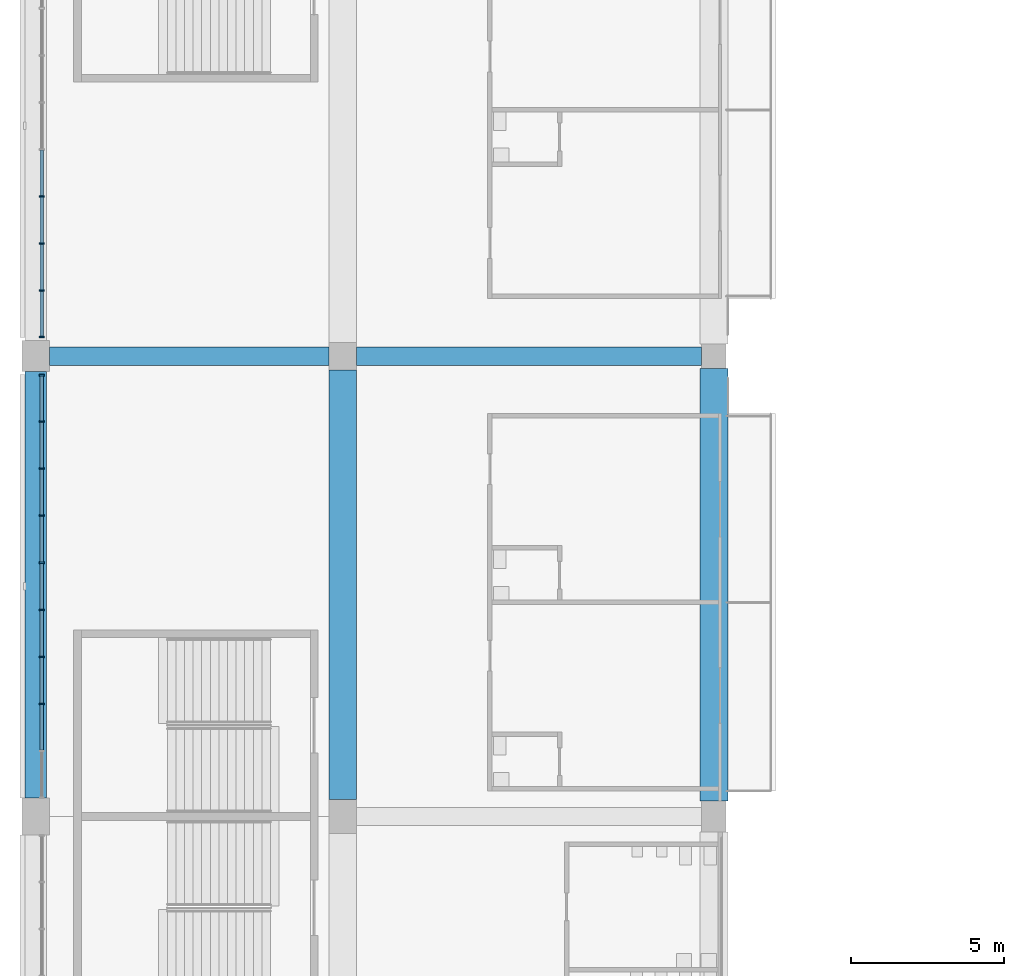
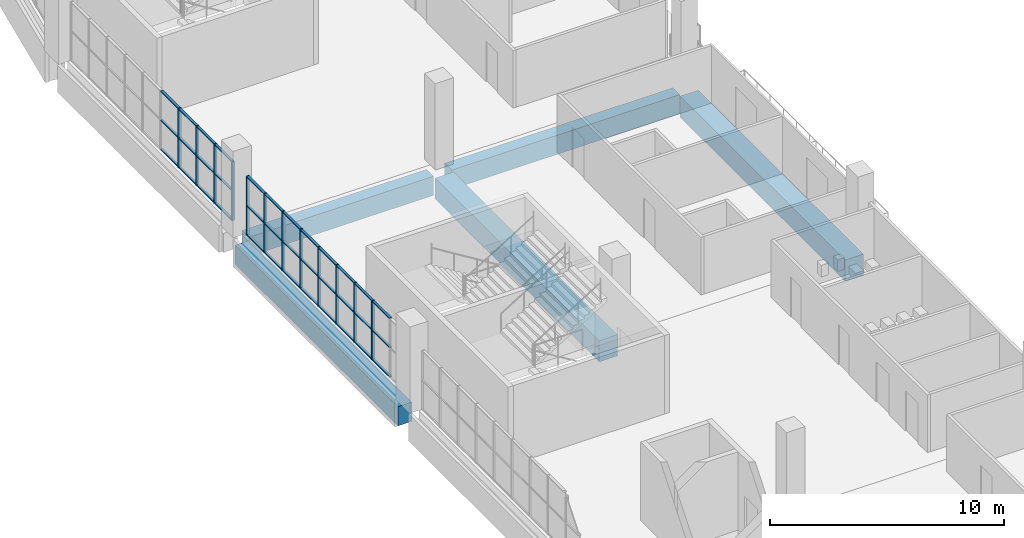
# One storey, part 34 of 199: 48 members, 5 beams, 2 elements without a shape of their own.
"""IFC4 building model written with IfcOpenShell, lengths in metres."""

from ifc_helpers import new_model, si_unit, direction, frame, origin, origin_2d, place, context, subcontext, project, spatial, rectangle, extrude, material, material_profile, profile_set, type_object, element, aggregate, save


model = new_model("IFC4")

# Units and contexts
model_context = context("Model", 3, precision=1e-05, world=origin(), true_north=direction((0.0, 1.0)))
body_context = subcontext(model_context, "Body", "Model", "MODEL_VIEW")
ifc_project = project(units=[si_unit("LENGTHUNIT", "METRE"), si_unit("AREAUNIT", "SQUARE_METRE"), si_unit("VOLUMEUNIT", "CUBIC_METRE"), si_unit("PLANEANGLEUNIT", "RADIAN"), si_unit("MASSUNIT", "GRAM", prefix="KILO")], contexts=[model_context])

# Site, building, storey
site_placement = place(None, origin())
site = spatial("IfcSite", under=ifc_project, at=site_placement, CompositionType="ELEMENT")
building_placement = place(site_placement, origin())
building = spatial("IfcBuilding", under=site, at=building_placement, Name="Ogive Plaza Stadium", CompositionType="ELEMENT")
storey_placement = place(building_placement, frame((0.0, 0.0, 9.0)))
storey = spatial("IfcBuildingStorey", under=building, at=storey_placement, Name="L02", CompositionType="ELEMENT", Elevation=9.0)

# Curtain wall, members
ifc_material_1 = material(Name="Bronze-anodised aluminium with laminated glass", Category="aluminium")
curtain_wall_type = type_object("IfcCurtainWallType", Name="Lancet curtain wall", PredefinedType="NOTDEFINED", material=ifc_material_1)
curtain_wall_1_placement = place(storey_placement, origin())
curtain_wall_1 = element("IfcCurtainWall", 1, at=curtain_wall_1_placement, inside=storey, type_object=curtain_wall_type, Name="CURTAIN WALL B26 L02", PredefinedType="NOTDEFINED")
ifc_material_2 = material(Name="Bronze-anodised aluminium", Category="aluminium")
ifc_material_profile_1 = material_profile(ifc_material_2, rectangle(XDim=0.14990234375, YDim=0.050048828125, at=origin_2d()), Name="AL 150x50")
ifc_profile_set_1 = profile_set([ifc_material_profile_1], Name="Bronze-anodised aluminium")
member_type_1 = type_object("IfcMemberType", Name="Curtain wall mullion 50x150", PredefinedType="MULLION", material=ifc_profile_set_1)
member_1_placement = place(storey_placement, frame((-83.800048828125, 26.166748046875, 0.0), z_axis=(0.0, 0.0, 1.0), x_axis=(-1.0, 0.0, 0.0)))
member_1 = element("IfcMember", 2, at=member_1_placement, type_object=member_type_1, Name="CW-B26-L02 mullion 3", PredefinedType="MULLION", context=body_context, shape_type="SweptSolid", body=[
    extrude(rectangle(XDim=0.14990234375, YDim=0.050048828125, at=origin_2d()), origin(), (0.0, 0.0, 1.0), 3.090087890625),
])
member_2_placement = place(storey_placement, frame((-83.800048828125, 27.699951171875, 0.0), z_axis=(0.0, 0.0, 1.0), x_axis=(-1.0, 0.0, 0.0)))
member_2 = element("IfcMember", 3, at=member_2_placement, type_object=member_type_1, Name="CW-B26-L02 mullion 4", PredefinedType="MULLION", context=body_context, shape_type="SweptSolid", body=[
    extrude(rectangle(XDim=0.14990234375, YDim=0.050048828125, at=origin_2d()), origin(), (0.0, 0.0, 1.0), 3.090087890625),
])
member_3_placement = place(storey_placement, frame((-83.800048828125, 29.2333984375, 0.0), z_axis=(0.0, 0.0, 1.0), x_axis=(-1.0, 0.0, 0.0)))
member_3 = element("IfcMember", 4, at=member_3_placement, type_object=member_type_1, Name="CW-B26-L02 mullion 5", PredefinedType="MULLION", context=body_context, shape_type="SweptSolid", body=[
    extrude(rectangle(XDim=0.14990234375, YDim=0.050048828125, at=origin_2d()), origin(), (0.0, 0.0, 1.0), 3.090087890625),
])
member_4_placement = place(storey_placement, frame((-83.800048828125, 30.7666015625, 0.0), z_axis=(0.0, 0.0, 1.0), x_axis=(-1.0, 0.0, 0.0)))
member_4 = element("IfcMember", 5, at=member_4_placement, type_object=member_type_1, Name="CW-B26-L02 mullion 6", PredefinedType="MULLION", context=body_context, shape_type="SweptSolid", body=[
    extrude(rectangle(XDim=0.14990234375, YDim=0.050048828125, at=origin_2d()), origin(), (0.0, 0.0, 1.0), 3.090087890625),
])
member_5_placement = place(storey_placement, frame((-83.800048828125, 32.300048828125, 0.0), z_axis=(0.0, 0.0, 1.0), x_axis=(-1.0, 0.0, 0.0)))
member_5 = element("IfcMember", 6, at=member_5_placement, type_object=member_type_1, Name="CW-B26-L02 mullion 7", PredefinedType="MULLION", context=body_context, shape_type="SweptSolid", body=[
    extrude(rectangle(XDim=0.14990234375, YDim=0.050048828125, at=origin_2d()), origin(), (0.0, 0.0, 1.0), 3.090087890625),
])
member_6_placement = place(storey_placement, frame((-83.800048828125, 33.833251953125, 0.0), z_axis=(0.0, 0.0, 1.0), x_axis=(-1.0, 0.0, 0.0)))
member_6 = element("IfcMember", 7, at=member_6_placement, type_object=member_type_1, Name="CW-B26-L02 mullion 8", PredefinedType="MULLION", context=body_context, shape_type="SweptSolid", body=[
    extrude(rectangle(XDim=0.14990234375, YDim=0.050048828125, at=origin_2d()), origin(), (0.0, 0.0, 1.0), 3.090087890625),
])
member_7_placement = place(storey_placement, frame((-83.800048828125, 35.36669921875, 0.0), z_axis=(0.0, 0.0, 1.0), x_axis=(-1.0, 0.0, 0.0)))
member_7 = element("IfcMember", 8, at=member_7_placement, type_object=member_type_1, Name="CW-B26-L02 mullion 9", PredefinedType="MULLION", context=body_context, shape_type="SweptSolid", body=[
    extrude(rectangle(XDim=0.14990234375, YDim=0.050048828125, at=origin_2d()), origin(), (0.0, 0.0, 1.0), 3.090087890625),
])
member_8_placement = place(storey_placement, frame((-83.800048828125, 36.875, 0.0), z_axis=(0.0, 0.0, 1.0), x_axis=(-1.0, 0.0, 0.0)))
member_8 = element("IfcMember", 9, at=member_8_placement, type_object=member_type_1, Name="CW-B26-L02 mullion 10", PredefinedType="MULLION", context=body_context, shape_type="SweptSolid", body=[
    extrude(rectangle(XDim=0.14990234375, YDim=0.050048828125, at=origin_2d()), origin(), (0.0, 0.0, 1.0), 3.090087890625),
])

curtain_wall_2_placement = place(storey_placement, origin())
curtain_wall_2 = element("IfcCurtainWall", 10, at=curtain_wall_2_placement, inside=storey, type_object=curtain_wall_type, Name="CURTAIN WALL B27 L02", PredefinedType="NOTDEFINED")
member_9_placement = place(storey_placement, frame((-83.800048828125, 38.125, 0.0), z_axis=(0.0, 0.0, 1.0), x_axis=(-1.0, 0.0, 0.0)))
member_9 = element("IfcMember", 11, at=member_9_placement, type_object=member_type_1, Name="CW-B27-L02 mullion 1", PredefinedType="MULLION", context=body_context, shape_type="SweptSolid", body=[
    extrude(rectangle(XDim=0.14990234375, YDim=0.050048828125, at=origin_2d()), origin(), (0.0, 0.0, 1.0), 3.090087890625),
])
member_10_placement = place(storey_placement, frame((-83.800048828125, 39.63330078125, 0.0), z_axis=(0.0, 0.0, 1.0), x_axis=(-1.0, 0.0, 0.0)))
member_10 = element("IfcMember", 12, at=member_10_placement, type_object=member_type_1, Name="CW-B27-L02 mullion 2", PredefinedType="MULLION", context=body_context, shape_type="SweptSolid", body=[
    extrude(rectangle(XDim=0.14990234375, YDim=0.050048828125, at=origin_2d()), origin(), (0.0, 0.0, 1.0), 3.090087890625),
])
member_11_placement = place(storey_placement, frame((-83.800048828125, 41.166748046875, 0.0), z_axis=(0.0, 0.0, 1.0), x_axis=(-1.0, 0.0, 0.0)))
member_11 = element("IfcMember", 13, at=member_11_placement, type_object=member_type_1, Name="CW-B27-L02 mullion 3", PredefinedType="MULLION", context=body_context, shape_type="SweptSolid", body=[
    extrude(rectangle(XDim=0.14990234375, YDim=0.050048828125, at=origin_2d()), origin(), (0.0, 0.0, 1.0), 3.090087890625),
])
member_12_placement = place(storey_placement, frame((-83.800048828125, 42.699951171875, 0.0), z_axis=(0.0, 0.0, 1.0), x_axis=(-1.0, 0.0, 0.0)))
member_12 = element("IfcMember", 14, at=member_12_placement, type_object=member_type_1, Name="CW-B27-L02 mullion 4", PredefinedType="MULLION", context=body_context, shape_type="SweptSolid", body=[
    extrude(rectangle(XDim=0.14990234375, YDim=0.050048828125, at=origin_2d()), origin(), (0.0, 0.0, 1.0), 3.090087890625),
])

# Member
ifc_material_3 = material(Name="Bronze-anodised aluminium", Category="aluminium")
ifc_material_profile_2 = material_profile(ifc_material_3, rectangle(XDim=0.1201171875, YDim=0.050048828125, at=origin_2d()), Name="AL 120x50")
ifc_profile_set_2 = profile_set([ifc_material_profile_2], Name="Bronze-anodised aluminium")
member_type_2 = type_object("IfcMemberType", Name="Curtain wall transom 50x120", PredefinedType="USERDEFINED", material=ifc_profile_set_2)
member_13_placement = place(storey_placement, frame((-83.800048828125, 24.658447265625, 0.02490234375), z_axis=(0.0, 1.0, 0.0), x_axis=(-1.0, 0.0, 0.0)))
member_13 = element("IfcMember", 15, at=member_13_placement, type_object=member_type_2, Name="CW-B26-L02 transom 2.1", ObjectType="TRANSOM", PredefinedType="USERDEFINED", context=body_context, shape_type="SweptSolid", body=[
    extrude(rectangle(XDim=0.1201171875, YDim=0.050048828125, at=origin_2d()), origin(), (0.0, 0.0, 1.0), 1.483154296875),
])

member_14_placement = place(storey_placement, frame((-83.800048828125, 24.658447265625, 1.544921875), z_axis=(0.0, 1.0, 0.0), x_axis=(-1.0, 0.0, 0.0)))
member_14 = element("IfcMember", 16, at=member_14_placement, type_object=member_type_2, Name="CW-B26-L02 transom 2.2", ObjectType="TRANSOM", PredefinedType="USERDEFINED", context=body_context, shape_type="SweptSolid", body=[
    extrude(rectangle(XDim=0.1201171875, YDim=0.050048828125, at=origin_2d()), origin(), (0.0, 0.0, 1.0), 1.483154296875),
])

member_15_placement = place(storey_placement, frame((-83.800048828125, 24.658447265625, 3.06494140625), z_axis=(0.0, 1.0, 0.0), x_axis=(-1.0, 0.0, 0.0)))
member_15 = element("IfcMember", 17, at=member_15_placement, type_object=member_type_2, Name="CW-B26-L02 transom 2.3", ObjectType="TRANSOM", PredefinedType="USERDEFINED", context=body_context, shape_type="SweptSolid", body=[
    extrude(rectangle(XDim=0.1201171875, YDim=0.050048828125, at=origin_2d()), origin(), (0.0, 0.0, 1.0), 1.483154296875),
])

member_16_placement = place(storey_placement, frame((-83.800048828125, 26.191650390625, 0.02490234375), z_axis=(0.0, 1.0, 0.0), x_axis=(-1.0, 0.0, 0.0)))
member_16 = element("IfcMember", 18, at=member_16_placement, type_object=member_type_2, Name="CW-B26-L02 transom 3.1", ObjectType="TRANSOM", PredefinedType="USERDEFINED", context=body_context, shape_type="SweptSolid", body=[
    extrude(rectangle(XDim=0.1201171875, YDim=0.050048828125, at=origin_2d()), origin(), (0.0, 0.0, 1.0), 1.4833984375),
])

member_17_placement = place(storey_placement, frame((-83.800048828125, 26.191650390625, 1.544921875), z_axis=(0.0, 1.0, 0.0), x_axis=(-1.0, 0.0, 0.0)))
member_17 = element("IfcMember", 19, at=member_17_placement, type_object=member_type_2, Name="CW-B26-L02 transom 3.2", ObjectType="TRANSOM", PredefinedType="USERDEFINED", context=body_context, shape_type="SweptSolid", body=[
    extrude(rectangle(XDim=0.1201171875, YDim=0.050048828125, at=origin_2d()), origin(), (0.0, 0.0, 1.0), 1.4833984375),
])

member_18_placement = place(storey_placement, frame((-83.800048828125, 26.191650390625, 3.06494140625), z_axis=(0.0, 1.0, 0.0), x_axis=(-1.0, 0.0, 0.0)))
member_18 = element("IfcMember", 20, at=member_18_placement, type_object=member_type_2, Name="CW-B26-L02 transom 3.3", ObjectType="TRANSOM", PredefinedType="USERDEFINED", context=body_context, shape_type="SweptSolid", body=[
    extrude(rectangle(XDim=0.1201171875, YDim=0.050048828125, at=origin_2d()), origin(), (0.0, 0.0, 1.0), 1.4833984375),
])

member_19_placement = place(storey_placement, frame((-83.800048828125, 27.72509765625, 0.02490234375), z_axis=(0.0, 1.0, 0.0), x_axis=(-1.0, 0.0, 0.0)))
member_19 = element("IfcMember", 21, at=member_19_placement, type_object=member_type_2, Name="CW-B26-L02 transom 4.1", ObjectType="TRANSOM", PredefinedType="USERDEFINED", context=body_context, shape_type="SweptSolid", body=[
    extrude(rectangle(XDim=0.1201171875, YDim=0.050048828125, at=origin_2d()), origin(), (0.0, 0.0, 1.0), 1.483154296875),
])

member_20_placement = place(storey_placement, frame((-83.800048828125, 27.72509765625, 1.544921875), z_axis=(0.0, 1.0, 0.0), x_axis=(-1.0, 0.0, 0.0)))
member_20 = element("IfcMember", 22, at=member_20_placement, type_object=member_type_2, Name="CW-B26-L02 transom 4.2", ObjectType="TRANSOM", PredefinedType="USERDEFINED", context=body_context, shape_type="SweptSolid", body=[
    extrude(rectangle(XDim=0.1201171875, YDim=0.050048828125, at=origin_2d()), origin(), (0.0, 0.0, 1.0), 1.483154296875),
])

member_21_placement = place(storey_placement, frame((-83.800048828125, 27.72509765625, 3.06494140625), z_axis=(0.0, 1.0, 0.0), x_axis=(-1.0, 0.0, 0.0)))
member_21 = element("IfcMember", 23, at=member_21_placement, type_object=member_type_2, Name="CW-B26-L02 transom 4.3", ObjectType="TRANSOM", PredefinedType="USERDEFINED", context=body_context, shape_type="SweptSolid", body=[
    extrude(rectangle(XDim=0.1201171875, YDim=0.050048828125, at=origin_2d()), origin(), (0.0, 0.0, 1.0), 1.483154296875),
])

member_22_placement = place(storey_placement, frame((-83.800048828125, 29.25830078125, 0.02490234375), z_axis=(0.0, 1.0, 0.0), x_axis=(-1.0, 0.0, 0.0)))
member_22 = element("IfcMember", 24, at=member_22_placement, type_object=member_type_2, Name="CW-B26-L02 transom 5.1", ObjectType="TRANSOM", PredefinedType="USERDEFINED", context=body_context, shape_type="SweptSolid", body=[
    extrude(rectangle(XDim=0.1201171875, YDim=0.050048828125, at=origin_2d()), origin(), (0.0, 0.0, 1.0), 1.4833984375),
])

member_23_placement = place(storey_placement, frame((-83.800048828125, 29.25830078125, 1.544921875), z_axis=(0.0, 1.0, 0.0), x_axis=(-1.0, 0.0, 0.0)))
member_23 = element("IfcMember", 25, at=member_23_placement, type_object=member_type_2, Name="CW-B26-L02 transom 5.2", ObjectType="TRANSOM", PredefinedType="USERDEFINED", context=body_context, shape_type="SweptSolid", body=[
    extrude(rectangle(XDim=0.1201171875, YDim=0.050048828125, at=origin_2d()), origin(), (0.0, 0.0, 1.0), 1.4833984375),
])

member_24_placement = place(storey_placement, frame((-83.800048828125, 29.25830078125, 3.06494140625), z_axis=(0.0, 1.0, 0.0), x_axis=(-1.0, 0.0, 0.0)))
member_24 = element("IfcMember", 26, at=member_24_placement, type_object=member_type_2, Name="CW-B26-L02 transom 5.3", ObjectType="TRANSOM", PredefinedType="USERDEFINED", context=body_context, shape_type="SweptSolid", body=[
    extrude(rectangle(XDim=0.1201171875, YDim=0.050048828125, at=origin_2d()), origin(), (0.0, 0.0, 1.0), 1.4833984375),
])

member_25_placement = place(storey_placement, frame((-83.800048828125, 30.791748046875, 0.02490234375), z_axis=(0.0, 1.0, 0.0), x_axis=(-1.0, 0.0, 0.0)))
member_25 = element("IfcMember", 27, at=member_25_placement, type_object=member_type_2, Name="CW-B26-L02 transom 6.1", ObjectType="TRANSOM", PredefinedType="USERDEFINED", context=body_context, shape_type="SweptSolid", body=[
    extrude(rectangle(XDim=0.1201171875, YDim=0.050048828125, at=origin_2d()), origin(), (0.0, 0.0, 1.0), 1.483154296875),
])

member_26_placement = place(storey_placement, frame((-83.800048828125, 30.791748046875, 1.544921875), z_axis=(0.0, 1.0, 0.0), x_axis=(-1.0, 0.0, 0.0)))
member_26 = element("IfcMember", 28, at=member_26_placement, type_object=member_type_2, Name="CW-B26-L02 transom 6.2", ObjectType="TRANSOM", PredefinedType="USERDEFINED", context=body_context, shape_type="SweptSolid", body=[
    extrude(rectangle(XDim=0.1201171875, YDim=0.050048828125, at=origin_2d()), origin(), (0.0, 0.0, 1.0), 1.483154296875),
])

member_27_placement = place(storey_placement, frame((-83.800048828125, 30.791748046875, 3.06494140625), z_axis=(0.0, 1.0, 0.0), x_axis=(-1.0, 0.0, 0.0)))
member_27 = element("IfcMember", 29, at=member_27_placement, type_object=member_type_2, Name="CW-B26-L02 transom 6.3", ObjectType="TRANSOM", PredefinedType="USERDEFINED", context=body_context, shape_type="SweptSolid", body=[
    extrude(rectangle(XDim=0.1201171875, YDim=0.050048828125, at=origin_2d()), origin(), (0.0, 0.0, 1.0), 1.483154296875),
])

member_28_placement = place(storey_placement, frame((-83.800048828125, 32.324951171875, 0.02490234375), z_axis=(0.0, 1.0, 0.0), x_axis=(-1.0, 0.0, 0.0)))
member_28 = element("IfcMember", 30, at=member_28_placement, type_object=member_type_2, Name="CW-B26-L02 transom 7.1", ObjectType="TRANSOM", PredefinedType="USERDEFINED", context=body_context, shape_type="SweptSolid", body=[
    extrude(rectangle(XDim=0.1201171875, YDim=0.050048828125, at=origin_2d()), origin(), (0.0, 0.0, 1.0), 1.4833984375),
])

member_29_placement = place(storey_placement, frame((-83.800048828125, 32.324951171875, 1.544921875), z_axis=(0.0, 1.0, 0.0), x_axis=(-1.0, 0.0, 0.0)))
member_29 = element("IfcMember", 31, at=member_29_placement, type_object=member_type_2, Name="CW-B26-L02 transom 7.2", ObjectType="TRANSOM", PredefinedType="USERDEFINED", context=body_context, shape_type="SweptSolid", body=[
    extrude(rectangle(XDim=0.1201171875, YDim=0.050048828125, at=origin_2d()), origin(), (0.0, 0.0, 1.0), 1.4833984375),
])

member_30_placement = place(storey_placement, frame((-83.800048828125, 32.324951171875, 3.06494140625), z_axis=(0.0, 1.0, 0.0), x_axis=(-1.0, 0.0, 0.0)))
member_30 = element("IfcMember", 32, at=member_30_placement, type_object=member_type_2, Name="CW-B26-L02 transom 7.3", ObjectType="TRANSOM", PredefinedType="USERDEFINED", context=body_context, shape_type="SweptSolid", body=[
    extrude(rectangle(XDim=0.1201171875, YDim=0.050048828125, at=origin_2d()), origin(), (0.0, 0.0, 1.0), 1.4833984375),
])

member_31_placement = place(storey_placement, frame((-83.800048828125, 33.8583984375, 0.02490234375), z_axis=(0.0, 1.0, 0.0), x_axis=(-1.0, 0.0, 0.0)))
member_31 = element("IfcMember", 33, at=member_31_placement, type_object=member_type_2, Name="CW-B26-L02 transom 8.1", ObjectType="TRANSOM", PredefinedType="USERDEFINED", context=body_context, shape_type="SweptSolid", body=[
    extrude(rectangle(XDim=0.1201171875, YDim=0.050048828125, at=origin_2d()), origin(), (0.0, 0.0, 1.0), 1.483154296875),
])

member_32_placement = place(storey_placement, frame((-83.800048828125, 33.8583984375, 1.544921875), z_axis=(0.0, 1.0, 0.0), x_axis=(-1.0, 0.0, 0.0)))
member_32 = element("IfcMember", 34, at=member_32_placement, type_object=member_type_2, Name="CW-B26-L02 transom 8.2", ObjectType="TRANSOM", PredefinedType="USERDEFINED", context=body_context, shape_type="SweptSolid", body=[
    extrude(rectangle(XDim=0.1201171875, YDim=0.050048828125, at=origin_2d()), origin(), (0.0, 0.0, 1.0), 1.483154296875),
])

member_33_placement = place(storey_placement, frame((-83.800048828125, 33.8583984375, 3.06494140625), z_axis=(0.0, 1.0, 0.0), x_axis=(-1.0, 0.0, 0.0)))
member_33 = element("IfcMember", 35, at=member_33_placement, type_object=member_type_2, Name="CW-B26-L02 transom 8.3", ObjectType="TRANSOM", PredefinedType="USERDEFINED", context=body_context, shape_type="SweptSolid", body=[
    extrude(rectangle(XDim=0.1201171875, YDim=0.050048828125, at=origin_2d()), origin(), (0.0, 0.0, 1.0), 1.483154296875),
])

member_34_placement = place(storey_placement, frame((-83.800048828125, 35.3916015625, 0.02490234375), z_axis=(0.0, 1.0, 0.0), x_axis=(-1.0, 0.0, 0.0)))
member_34 = element("IfcMember", 36, at=member_34_placement, type_object=member_type_2, Name="CW-B26-L02 transom 9.1", ObjectType="TRANSOM", PredefinedType="USERDEFINED", context=body_context, shape_type="SweptSolid", body=[
    extrude(rectangle(XDim=0.1201171875, YDim=0.050048828125, at=origin_2d()), origin(), (0.0, 0.0, 1.0), 1.45849609375),
])

member_35_placement = place(storey_placement, frame((-83.800048828125, 35.3916015625, 1.544921875), z_axis=(0.0, 1.0, 0.0), x_axis=(-1.0, 0.0, 0.0)))
member_35 = element("IfcMember", 37, at=member_35_placement, type_object=member_type_2, Name="CW-B26-L02 transom 9.2", ObjectType="TRANSOM", PredefinedType="USERDEFINED", context=body_context, shape_type="SweptSolid", body=[
    extrude(rectangle(XDim=0.1201171875, YDim=0.050048828125, at=origin_2d()), origin(), (0.0, 0.0, 1.0), 1.45849609375),
])

member_36_placement = place(storey_placement, frame((-83.800048828125, 35.3916015625, 3.06494140625), z_axis=(0.0, 1.0, 0.0), x_axis=(-1.0, 0.0, 0.0)))
member_36 = element("IfcMember", 38, at=member_36_placement, type_object=member_type_2, Name="CW-B26-L02 transom 9.3", ObjectType="TRANSOM", PredefinedType="USERDEFINED", context=body_context, shape_type="SweptSolid", body=[
    extrude(rectangle(XDim=0.1201171875, YDim=0.050048828125, at=origin_2d()), origin(), (0.0, 0.0, 1.0), 1.45849609375),
])

aggregate(curtain_wall_1, [member_1, member_2, member_3, member_4, member_5, member_6, member_7, member_8, member_13, member_14, member_15, member_16, member_17, member_18, member_19, member_20, member_21, member_22, member_23, member_24, member_25, member_26, member_27, member_28, member_29, member_30, member_31, member_32, member_33, member_34, member_35, member_36])

member_37_placement = place(storey_placement, frame((-83.800048828125, 38.14990234375, 0.02490234375), z_axis=(0.0, 1.0, 0.0), x_axis=(-1.0, 0.0, 0.0)))
member_37 = element("IfcMember", 39, at=member_37_placement, type_object=member_type_2, Name="CW-B27-L02 transom 1.1", ObjectType="TRANSOM", PredefinedType="USERDEFINED", context=body_context, shape_type="SweptSolid", body=[
    extrude(rectangle(XDim=0.1201171875, YDim=0.050048828125, at=origin_2d()), origin(), (0.0, 0.0, 1.0), 1.45849609375),
])

member_38_placement = place(storey_placement, frame((-83.800048828125, 38.14990234375, 1.544921875), z_axis=(0.0, 1.0, 0.0), x_axis=(-1.0, 0.0, 0.0)))
member_38 = element("IfcMember", 40, at=member_38_placement, type_object=member_type_2, Name="CW-B27-L02 transom 1.2", ObjectType="TRANSOM", PredefinedType="USERDEFINED", context=body_context, shape_type="SweptSolid", body=[
    extrude(rectangle(XDim=0.1201171875, YDim=0.050048828125, at=origin_2d()), origin(), (0.0, 0.0, 1.0), 1.45849609375),
])

member_39_placement = place(storey_placement, frame((-83.800048828125, 38.14990234375, 3.06494140625), z_axis=(0.0, 1.0, 0.0), x_axis=(-1.0, 0.0, 0.0)))
member_39 = element("IfcMember", 41, at=member_39_placement, type_object=member_type_2, Name="CW-B27-L02 transom 1.3", ObjectType="TRANSOM", PredefinedType="USERDEFINED", context=body_context, shape_type="SweptSolid", body=[
    extrude(rectangle(XDim=0.1201171875, YDim=0.050048828125, at=origin_2d()), origin(), (0.0, 0.0, 1.0), 1.45849609375),
])

member_40_placement = place(storey_placement, frame((-83.800048828125, 39.658447265625, 0.02490234375), z_axis=(0.0, 1.0, 0.0), x_axis=(-1.0, 0.0, 0.0)))
member_40 = element("IfcMember", 42, at=member_40_placement, type_object=member_type_2, Name="CW-B27-L02 transom 2.1", ObjectType="TRANSOM", PredefinedType="USERDEFINED", context=body_context, shape_type="SweptSolid", body=[
    extrude(rectangle(XDim=0.1201171875, YDim=0.050048828125, at=origin_2d()), origin(), (0.0, 0.0, 1.0), 1.483154296875),
])

member_41_placement = place(storey_placement, frame((-83.800048828125, 39.658447265625, 1.544921875), z_axis=(0.0, 1.0, 0.0), x_axis=(-1.0, 0.0, 0.0)))
member_41 = element("IfcMember", 43, at=member_41_placement, type_object=member_type_2, Name="CW-B27-L02 transom 2.2", ObjectType="TRANSOM", PredefinedType="USERDEFINED", context=body_context, shape_type="SweptSolid", body=[
    extrude(rectangle(XDim=0.1201171875, YDim=0.050048828125, at=origin_2d()), origin(), (0.0, 0.0, 1.0), 1.483154296875),
])

member_42_placement = place(storey_placement, frame((-83.800048828125, 39.658447265625, 3.06494140625), z_axis=(0.0, 1.0, 0.0), x_axis=(-1.0, 0.0, 0.0)))
member_42 = element("IfcMember", 44, at=member_42_placement, type_object=member_type_2, Name="CW-B27-L02 transom 2.3", ObjectType="TRANSOM", PredefinedType="USERDEFINED", context=body_context, shape_type="SweptSolid", body=[
    extrude(rectangle(XDim=0.1201171875, YDim=0.050048828125, at=origin_2d()), origin(), (0.0, 0.0, 1.0), 1.483154296875),
])

member_43_placement = place(storey_placement, frame((-83.800048828125, 41.191650390625, 0.02490234375), z_axis=(0.0, 1.0, 0.0), x_axis=(-1.0, 0.0, 0.0)))
member_43 = element("IfcMember", 45, at=member_43_placement, type_object=member_type_2, Name="CW-B27-L02 transom 3.1", ObjectType="TRANSOM", PredefinedType="USERDEFINED", context=body_context, shape_type="SweptSolid", body=[
    extrude(rectangle(XDim=0.1201171875, YDim=0.050048828125, at=origin_2d()), origin(), (0.0, 0.0, 1.0), 1.4833984375),
])

member_44_placement = place(storey_placement, frame((-83.800048828125, 41.191650390625, 1.544921875), z_axis=(0.0, 1.0, 0.0), x_axis=(-1.0, 0.0, 0.0)))
member_44 = element("IfcMember", 46, at=member_44_placement, type_object=member_type_2, Name="CW-B27-L02 transom 3.2", ObjectType="TRANSOM", PredefinedType="USERDEFINED", context=body_context, shape_type="SweptSolid", body=[
    extrude(rectangle(XDim=0.1201171875, YDim=0.050048828125, at=origin_2d()), origin(), (0.0, 0.0, 1.0), 1.4833984375),
])

member_45_placement = place(storey_placement, frame((-83.800048828125, 41.191650390625, 3.06494140625), z_axis=(0.0, 1.0, 0.0), x_axis=(-1.0, 0.0, 0.0)))
member_45 = element("IfcMember", 47, at=member_45_placement, type_object=member_type_2, Name="CW-B27-L02 transom 3.3", ObjectType="TRANSOM", PredefinedType="USERDEFINED", context=body_context, shape_type="SweptSolid", body=[
    extrude(rectangle(XDim=0.1201171875, YDim=0.050048828125, at=origin_2d()), origin(), (0.0, 0.0, 1.0), 1.4833984375),
])

member_46_placement = place(storey_placement, frame((-83.800048828125, 42.72509765625, 0.02490234375), z_axis=(0.0, 1.0, 0.0), x_axis=(-1.0, 0.0, 0.0)))
member_46 = element("IfcMember", 48, at=member_46_placement, type_object=member_type_2, Name="CW-B27-L02 transom 4.1", ObjectType="TRANSOM", PredefinedType="USERDEFINED", context=body_context, shape_type="SweptSolid", body=[
    extrude(rectangle(XDim=0.1201171875, YDim=0.050048828125, at=origin_2d()), origin(), (0.0, 0.0, 1.0), 1.483154296875),
])

member_47_placement = place(storey_placement, frame((-83.800048828125, 42.72509765625, 1.544921875), z_axis=(0.0, 1.0, 0.0), x_axis=(-1.0, 0.0, 0.0)))
member_47 = element("IfcMember", 49, at=member_47_placement, type_object=member_type_2, Name="CW-B27-L02 transom 4.2", ObjectType="TRANSOM", PredefinedType="USERDEFINED", context=body_context, shape_type="SweptSolid", body=[
    extrude(rectangle(XDim=0.1201171875, YDim=0.050048828125, at=origin_2d()), origin(), (0.0, 0.0, 1.0), 1.483154296875),
])

member_48_placement = place(storey_placement, frame((-83.800048828125, 42.72509765625, 3.06494140625), z_axis=(0.0, 1.0, 0.0), x_axis=(-1.0, 0.0, 0.0)))
member_48 = element("IfcMember", 50, at=member_48_placement, type_object=member_type_2, Name="CW-B27-L02 transom 4.3", ObjectType="TRANSOM", PredefinedType="USERDEFINED", context=body_context, shape_type="SweptSolid", body=[
    extrude(rectangle(XDim=0.1201171875, YDim=0.050048828125, at=origin_2d()), origin(), (0.0, 0.0, 1.0), 1.483154296875),
])

aggregate(curtain_wall_2, [member_9, member_10, member_11, member_12, member_37, member_38, member_39, member_40, member_41, member_42, member_43, member_44, member_45, member_46, member_47, member_48])

# Beams
ifc_material_4 = material(Name="Concrete C40/50", Category="concrete")
ifc_material_profile_3 = material_profile(ifc_material_4, rectangle(XDim=0.60009765625, YDim=1.0, at=origin_2d()), Name="RC 600x1000")
ifc_profile_set_3 = profile_set([ifc_material_profile_3], Name="Concrete C40/50")
beam_type_1 = type_object("IfcBeamType", Name="RC radial beam 600x1000", PredefinedType="BEAM", material=ifc_profile_set_3)
beam_1_placement = place(storey_placement, frame((-62.300048828125, 37.5, -0.909912109375), z_axis=(-1.0, 0.0, 0.0), x_axis=(0.0, -1.0, 0.0)))
element("IfcBeam", 51, at=beam_1_placement, inside=storey, type_object=beam_type_1, Name="Radial beam L02 R27 F3F4", PredefinedType="BEAM", context=body_context, shape_type="SweptSolid", body=[
    extrude(rectangle(XDim=0.60009765625, YDim=1.0, at=origin_2d()), origin(), (0.0, 0.0, 1.0), 11.25),
])
beam_2_placement = place(storey_placement, frame((-74.449951171875, 37.5, -0.909912109375), z_axis=(-1.0, 0.0, 0.0), x_axis=(0.0, -1.0, 0.0)))
element("IfcBeam", 52, at=beam_2_placement, inside=storey, type_object=beam_type_1, Name="Radial beam L02 R27 F4F5", PredefinedType="BEAM", context=body_context, shape_type="SweptSolid", body=[
    extrude(rectangle(XDim=0.60009765625, YDim=1.0, at=origin_2d()), origin(), (0.0, 0.0, 1.0), 9.10009765625),
])
ifc_material_5 = material(Name="Concrete C40/50", Category="concrete")
ifc_material_profile_4 = material_profile(ifc_material_5, rectangle(XDim=0.89990234375, YDim=1.10009765625, at=origin_2d()), Name="RC 900x1100")
ifc_profile_set_4 = profile_set([ifc_material_profile_4], Name="Concrete C40/50")
beam_type_2 = type_object("IfcBeamType", Name="RC ring beam 900x1100", PredefinedType="BEAM", material=ifc_profile_set_4)
beam_3_placement = place(storey_placement, frame((-74.0, 23.050048828125, -0.9599609375), z_axis=(0.0, 1.0, 0.0), x_axis=(-1.0, 0.0, 0.0)))
element("IfcBeam", 53, at=beam_3_placement, inside=storey, type_object=beam_type_2, Name="Ring beam F4 L02 B26", PredefinedType="BEAM", context=body_context, shape_type="SweptSolid", body=[
    extrude(rectangle(XDim=0.89990234375, YDim=1.10009765625, at=origin_2d()), origin(), (0.0, 0.0, 1.0), 14.0),
])
beam_4_placement = place(storey_placement, frame((-61.89990234375, 23.0, -0.9599609375), z_axis=(0.0, 1.0, 0.0), x_axis=(-1.0, 0.0, 0.0)))
element("IfcBeam", 54, at=beam_4_placement, inside=storey, type_object=beam_type_2, Name="Ring beam F3 L02 B26", PredefinedType="BEAM", context=body_context, shape_type="SweptSolid", body=[
    extrude(rectangle(XDim=0.89990234375, YDim=1.10009765625, at=origin_2d()), origin(), (0.0, 0.0, 1.0), 14.10009765625),
])
ifc_material_6 = material(Name="Concrete C40/50", Category="concrete")
ifc_material_profile_5 = material_profile(ifc_material_6, rectangle(XDim=0.699951171875, YDim=1.0, at=origin_2d()), Name="RC 700x1000")
ifc_profile_set_5 = profile_set([ifc_material_profile_5], Name="Concrete C40/50")
beam_type_3 = type_object("IfcBeamType", Name="RC spandrel beam 700x1000", PredefinedType="SPANDREL", material=ifc_profile_set_5)
beam_5_placement = place(storey_placement, frame((-84.0, 23.10009765625, -0.909912109375), z_axis=(0.0, 1.0, 0.0), x_axis=(-1.0, 0.0, 0.0)))
element("IfcBeam", 55, at=beam_5_placement, inside=storey, type_object=beam_type_3, Name="Ring beam F5 L02 B26", PredefinedType="SPANDREL", context=body_context, shape_type="SweptSolid", body=[
    extrude(rectangle(XDim=0.699951171875, YDim=1.0, at=origin_2d()), origin(), (0.0, 0.0, 1.0), 13.89990234375),
])

save(model, "model.ifc")
